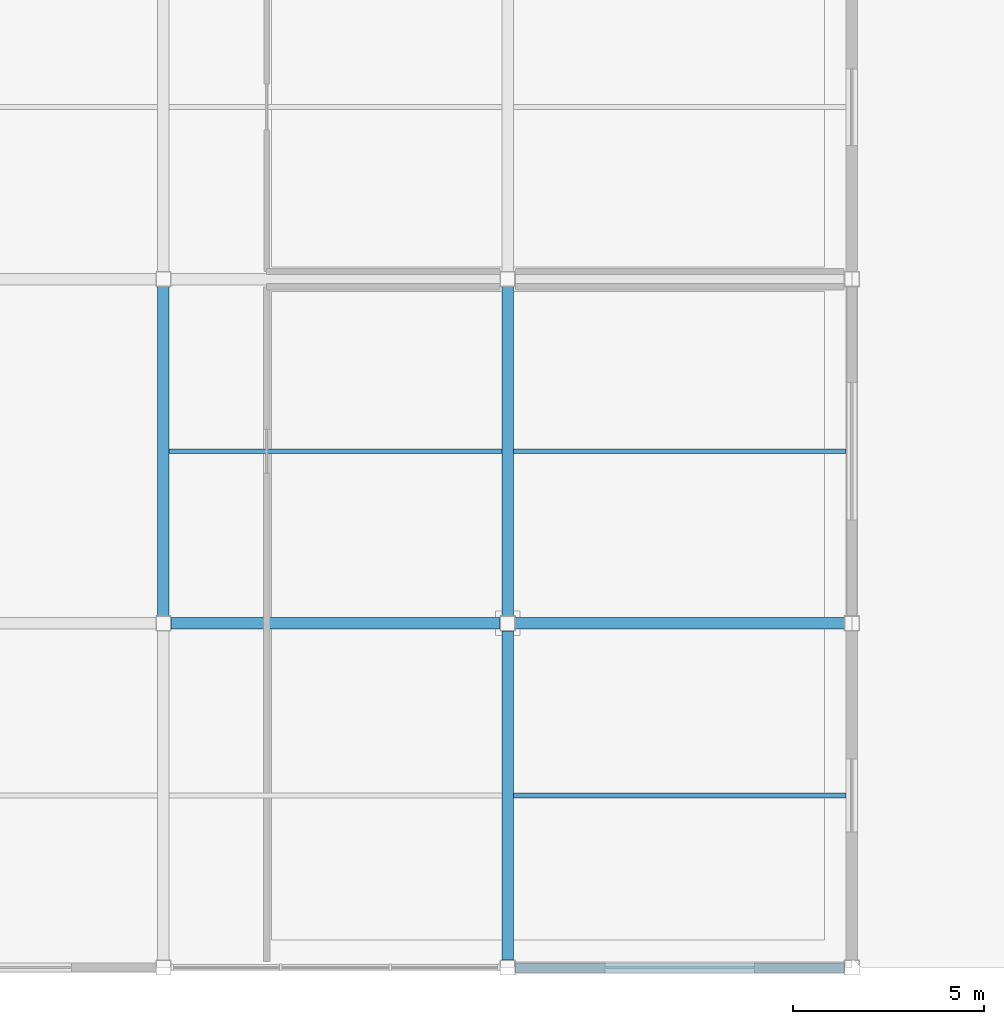
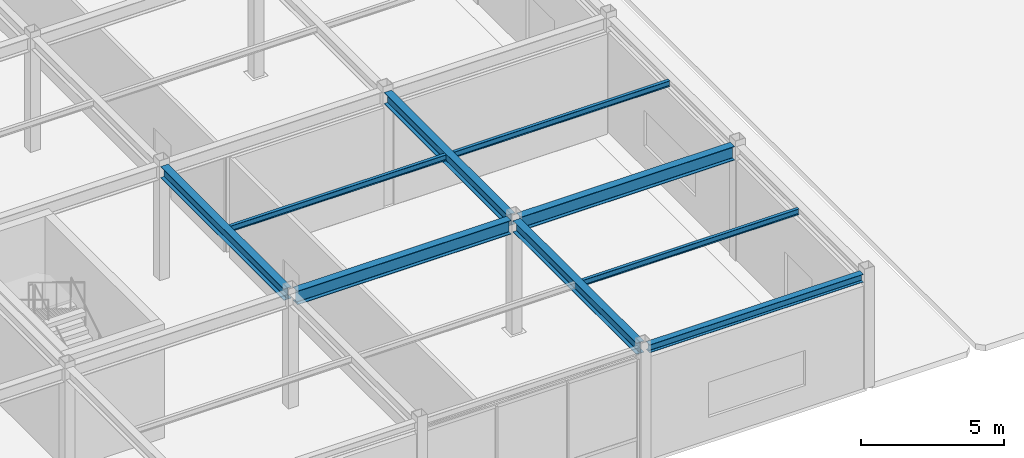
# One storey, part 28 of 123: 9 beams.
"""IFC4 building model written with IfcOpenShell, lengths in metres."""

from ifc_helpers import new_model, si_unit, direction, frame, origin, origin_2d, place, context, subcontext, project, spatial, i_section, extrude, material, material_profile, profile_set, type_object, element, save


model = new_model("IFC4")

# Units and contexts
model_context = context("Model", 3, precision=1e-05, world=origin(), true_north=direction((0.0, 1.0)))
body_context = subcontext(model_context, "Body", "Model", "MODEL_VIEW")
ifc_project = project(units=[si_unit("LENGTHUNIT", "METRE"), si_unit("AREAUNIT", "SQUARE_METRE"), si_unit("VOLUMEUNIT", "CUBIC_METRE"), si_unit("PLANEANGLEUNIT", "RADIAN"), si_unit("MASSUNIT", "GRAM", prefix="KILO")], contexts=[model_context])

# Site, building, storey
site_placement = place(None, origin())
site = spatial("IfcSite", under=ifc_project, at=site_placement, CompositionType="ELEMENT")
building_placement = place(site_placement, origin())
building = spatial("IfcBuilding", under=site, at=building_placement, Name="Suzunagisa Mobility Hub", CompositionType="ELEMENT")
storey_placement = place(building_placement, origin())
storey = spatial("IfcBuildingStorey", under=building, at=storey_placement, Name="L00", CompositionType="ELEMENT", Elevation=0.0)

# Beams
ifc_material_1 = material(Name="Steel SN490B", Category="steel")
ifc_material_profile_1 = material_profile(ifc_material_1, i_section(OverallWidth=0.300048828125, OverallDepth=0.488037109375, WebThickness=0.010986328125, FlangeThickness=0.01806640625, FilletRadius=0.012939453125, at=origin_2d()), Name="H-488x300x11x18")
ifc_profile_set_1 = profile_set([ifc_material_profile_1], Name="Steel SN490B")
beam_type_1 = type_object("IfcBeamType", Name="Steel Beam BM-06 H-488x300x11x18", PredefinedType="BEAM", material=ifc_profile_set_1)
for number, where, z_axis, x_axis, name in (
    (1, (18.0, 9.196044921875, 4.60595703125), (0.0, 1.0, 0.0), (-1.0, 0.0, 0.0), "L00 Primary Girder GY-136"),
    (2, (27.0, 0.196044921875, 4.60595703125), (0.0, 1.0, 0.0), (-1.0, 0.0, 0.0), "L00 Primary Girder GY-142"),
    (3, (27.0, 9.196044921875, 4.60595703125), (0.0, 1.0, 0.0), (-1.0, 0.0, 0.0), "L00 Primary Girder GY-143"),
):
    element("IfcBeam", number, at=place(storey_placement, frame(where, z_axis=z_axis, x_axis=x_axis)), inside=storey, type_object=beam_type_1, Name=name, PredefinedType="BEAM", context=body_context, shape_type="SweptSolid", body=[
        extrude(i_section(OverallWidth=0.300048828125, OverallDepth=0.488037109375, WebThickness=0.010986328125, FlangeThickness=0.01806640625, FilletRadius=0.012939453125, at=origin_2d()), origin(), (0.0, 0.0, 1.0), 8.60791015625),
    ])
ifc_material_profile_2 = material_profile(ifc_material_1, i_section(OverallWidth=0.300048828125, OverallDepth=0.587890625, WebThickness=0.011962890625, FlangeThickness=0.02001953125, FilletRadius=0.012939453125, at=origin_2d()), Name="H-588x300x12x20")
ifc_profile_set_2 = profile_set([ifc_material_profile_2], Name="Steel SN490B")
beam_type_2 = type_object("IfcBeamType", Name="Steel Beam BM-16 H-588x300x12x20", PredefinedType="BEAM", material=ifc_profile_set_2)
for number, where, z_axis, x_axis, name in (
    (4, (18.196044921875, 9.0, 4.555908203125), (1.0, 0.0, 0.0), (0.0, 1.0, 0.0), "L00 Primary Girder GX-96"),
    (5, (27.196044921875, 9.0, 4.555908203125), (1.0, 0.0, 0.0), (0.0, 1.0, 0.0), "L00 Primary Girder GX-97"),
):
    element("IfcBeam", number, at=place(storey_placement, frame(where, z_axis=z_axis, x_axis=x_axis)), inside=storey, type_object=beam_type_2, Name=name, PredefinedType="BEAM", context=body_context, shape_type="SweptSolid", body=[
        extrude(i_section(OverallWidth=0.300048828125, OverallDepth=0.587890625, WebThickness=0.011962890625, FlangeThickness=0.02001953125, FilletRadius=0.012939453125, at=origin_2d()), origin(), (0.0, 0.0, 1.0), 8.60791015625),
    ])
ifc_material_2 = material(Name="Steel SN400B", Category="steel")
ifc_material_profile_3 = material_profile(ifc_material_2, i_section(OverallWidth=0.125, OverallDepth=0.25, WebThickness=0.006103515625, FlangeThickness=0.009033203125, FilletRadius=0.008056640625, at=origin_2d()), Name="H-250x125x6x9")
ifc_profile_set_3 = profile_set([ifc_material_profile_3], Name="Steel SN400B")
beam_type_3 = type_object("IfcBeamType", Name="Steel Beam BM-21 H-250x125x6x9", PredefinedType="JOIST", material=ifc_profile_set_3)
for number, where, z_axis, x_axis, name in (
    (6, (18.14990234375, 13.5, 4.72509765625), (1.0, 0.0, 0.0), (0.0, 1.0, 0.0), "L00 Composite Floor Joist J-169"),
    (7, (27.14990234375, 4.5, 4.72509765625), (1.0, 0.0, 0.0), (0.0, 1.0, 0.0), "L00 Composite Floor Joist J-174"),
    (8, (27.14990234375, 13.5, 4.72509765625), (1.0, 0.0, 0.0), (0.0, 1.0, 0.0), "L00 Composite Floor Joist J-175"),
):
    element("IfcBeam", number, at=place(storey_placement, frame(where, z_axis=z_axis, x_axis=x_axis)), inside=storey, type_object=beam_type_3, Name=name, PredefinedType="JOIST", context=body_context, shape_type="SweptSolid", body=[
        extrude(i_section(OverallWidth=0.125, OverallDepth=0.25, WebThickness=0.006103515625, FlangeThickness=0.009033203125, FilletRadius=0.008056640625, at=origin_2d()), origin(), (0.0, 0.0, 1.0), 8.7001953125),
    ])
ifc_material_profile_4 = material_profile(ifc_material_2, i_section(OverallWidth=0.25, OverallDepth=0.340087890625, WebThickness=0.009033203125, FlangeThickness=0.013916015625, FilletRadius=0.010009765625, at=origin_2d()), Name="H-340x250x9x14")
ifc_profile_set_4 = profile_set([ifc_material_profile_4], Name="Steel SN400B")
beam_type_4 = type_object("IfcBeamType", Name="Steel Beam BM-23 H-340x250x9x14", PredefinedType="LINTEL", material=ifc_profile_set_4)
beam_placement = place(storey_placement, frame((27.196044921875, 0.0, 4.679931640625), z_axis=(1.0, 0.0, 0.0), x_axis=(0.0, 1.0, 0.0)))
element("IfcBeam", 9, at=beam_placement, inside=storey, type_object=beam_type_4, Name="L00 Primary Girder GX-93", PredefinedType="LINTEL", context=body_context, shape_type="SweptSolid", body=[
    extrude(i_section(OverallWidth=0.25, OverallDepth=0.340087890625, WebThickness=0.009033203125, FlangeThickness=0.013916015625, FilletRadius=0.010009765625, at=origin_2d()), origin(), (0.0, 0.0, 1.0), 8.60791015625),
])

save(model, "model.ifc")
